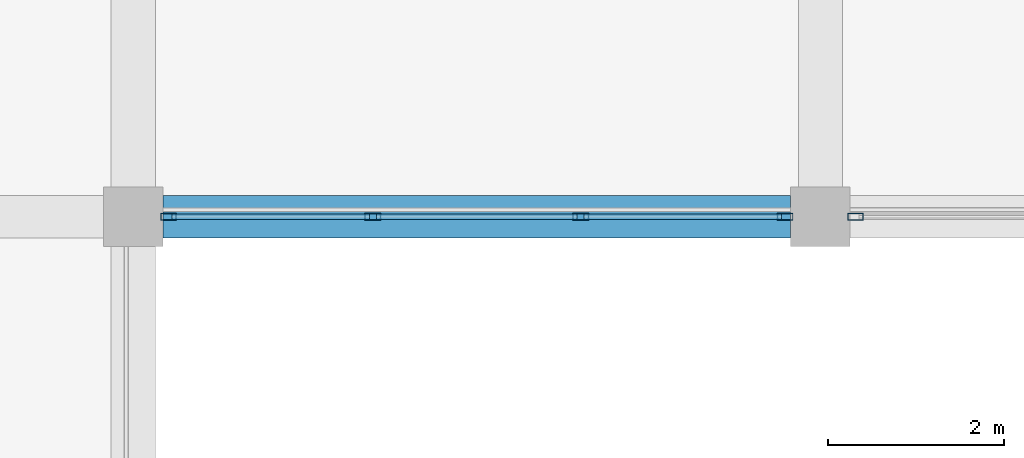
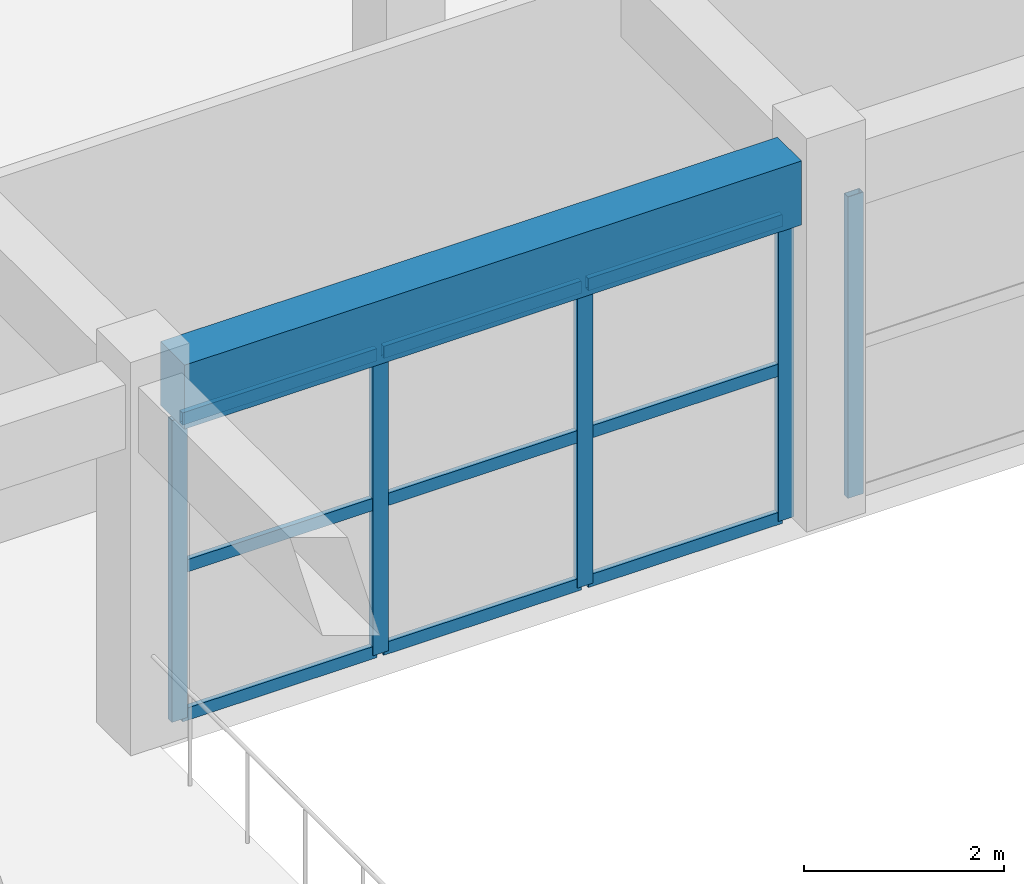
# One storey, part 102 of 175: 14 members, 1 beam, 2 elements without a shape of their own.
"""IFC4 building model written with IfcOpenShell, lengths in metres."""

from ifc_helpers import new_model, si_unit, direction, frame, origin, origin_2d, place, context, subcontext, project, spatial, rectangle, hollow_rectangle, extrude, material, layer, layer_set, material_profile, profile_set, type_object, element, aggregate, save


model = new_model("IFC4")

# Units and contexts
model_context = context("Model", 3, precision=1e-05, world=origin(), true_north=direction((0.0, 1.0)))
body_context = subcontext(model_context, "Body", "Model", "MODEL_VIEW")
ifc_project = project(units=[si_unit("LENGTHUNIT", "METRE"), si_unit("AREAUNIT", "SQUARE_METRE"), si_unit("VOLUMEUNIT", "CUBIC_METRE"), si_unit("PLANEANGLEUNIT", "RADIAN"), si_unit("MASSUNIT", "GRAM", prefix="KILO")], contexts=[model_context])

# Site, building, storey
site_placement = place(None, origin())
site = spatial("IfcSite", under=ifc_project, at=site_placement, CompositionType="ELEMENT")
building_placement = place(site_placement, origin())
building = spatial("IfcBuilding", under=site, at=building_placement, Name="Zizhar Promenade General Hospital", CompositionType="ELEMENT")
storey_placement = place(building_placement, frame((0.0, 0.0, 4.800048828125)))
storey = spatial("IfcBuildingStorey", under=building, at=storey_placement, Name="L01", CompositionType="ELEMENT", Elevation=4.800048828125)

# Beam
ifc_material_1 = material(Name="Concrete C35/45", Category="concrete")
ifc_material_profile_1 = material_profile(ifc_material_1, rectangle(XDim=0.47998046875, YDim=0.780029296875, at=origin_2d()))
ifc_profile_set_1 = profile_set([ifc_material_profile_1], Name="Concrete C35/45")
beam_type = type_object("IfcBeamType", Name="BM-RC-480x780", PredefinedType="BEAM", material=ifc_profile_set_1)
beam_placement = place(storey_placement, frame((148.5400390625, 92.39990234375, 4.079833984375), z_axis=(1.0, 0.0, 0.0), x_axis=(0.0, 1.0, 0.0)))
element("IfcBeam", 1, at=beam_placement, inside=storey, type_object=beam_type, Name="Grid Beam X L01 (19-11)", PredefinedType="BEAM", context=body_context, shape_type="SweptSolid", body=[
    extrude(rectangle(XDim=0.47998046875, YDim=0.780029296875, at=origin_2d()), origin(), (0.0, 0.0, 1.0), 7.119873046875),
])

# Curtain wall, members
ifc_material_2 = material(Name="Anodised aluminium 6063-T6 and low-E glass", Category="aluminium")
ifc_layer = layer(ifc_material_2, 0.159912109375)
ifc_layer_set = layer_set([ifc_layer], Name="Anodised aluminium 6063-T6 and low-E glass")
curtain_wall_type = type_object("IfcCurtainWallType", Name="CW-CLN-CRT", PredefinedType="NOTDEFINED", material=ifc_layer_set)
curtain_wall_1_placement = place(storey_placement, origin())
curtain_wall_1 = element("IfcCurtainWall", 2, at=curtain_wall_1_placement, inside=storey, type_object=curtain_wall_type, Name="East Light Court North Glazing L01-19", PredefinedType="NOTDEFINED")
ifc_material_3 = material(Name="Anodised aluminium 6063-T6", Category="aluminium")
ifc_material_profile_2 = material_profile(ifc_material_3, hollow_rectangle(XDim=0.080078125, YDim=0.179931640625, WallThickness=0.0048828125, at=origin_2d()))
ifc_profile_set_2 = profile_set([ifc_material_profile_2], Name="Anodised aluminium 6063-T6")
member_type_1 = type_object("IfcMemberType", Name="CWM-ALU-180x80", PredefinedType="MULLION", material=ifc_profile_set_2)
member_1_placement = place(storey_placement, frame((155.60009765625, 92.39990234375, 0.0), z_axis=(0.0, 0.0, 1.0), x_axis=(0.0, -1.0, 0.0)))
member_1 = element("IfcMember", 3, at=member_1_placement, type_object=member_type_1, Name="CW-10 mullion 1", PredefinedType="MULLION", context=body_context, shape_type="SweptSolid", body=[
    extrude(hollow_rectangle(XDim=0.080078125, YDim=0.179931640625, WallThickness=0.0048828125, at=origin_2d()), origin(), (0.0, 0.0, 1.0), 3.679931640625),
])
member_2_placement = place(storey_placement, frame((153.280029296875, 92.39990234375, 0.0), z_axis=(0.0, 0.0, 1.0), x_axis=(0.0, -1.0, 0.0)))
member_2 = element("IfcMember", 4, at=member_2_placement, type_object=member_type_1, Name="CW-10 mullion 2", PredefinedType="MULLION", context=body_context, shape_type="SweptSolid", body=[
    extrude(hollow_rectangle(XDim=0.080078125, YDim=0.179931640625, WallThickness=0.0048828125, at=origin_2d()), origin(), (0.0, 0.0, 1.0), 3.679931640625),
])
member_3_placement = place(storey_placement, frame((150.919921875, 92.39990234375, 0.0), z_axis=(0.0, 0.0, 1.0), x_axis=(0.0, -1.0, 0.0)))
member_3 = element("IfcMember", 5, at=member_3_placement, type_object=member_type_1, Name="CW-10 mullion 3", PredefinedType="MULLION", context=body_context, shape_type="SweptSolid", body=[
    extrude(hollow_rectangle(XDim=0.080078125, YDim=0.179931640625, WallThickness=0.0048828125, at=origin_2d()), origin(), (0.0, 0.0, 1.0), 3.679931640625),
])
member_4_placement = place(storey_placement, frame((148.60009765625, 92.39990234375, 0.0), z_axis=(0.0, 0.0, 1.0), x_axis=(0.0, -1.0, 0.0)))
member_4 = element("IfcMember", 6, at=member_4_placement, type_object=member_type_1, Name="CW-10 mullion 4", PredefinedType="MULLION", context=body_context, shape_type="SweptSolid", body=[
    extrude(hollow_rectangle(XDim=0.080078125, YDim=0.179931640625, WallThickness=0.0048828125, at=origin_2d()), origin(), (0.0, 0.0, 1.0), 3.679931640625),
])

# Curtain wall, member
curtain_wall_2_placement = place(storey_placement, origin())
curtain_wall_2 = element("IfcCurtainWall", 7, at=curtain_wall_2_placement, inside=storey, type_object=curtain_wall_type, Name="East Light Court North Glazing L01-20", PredefinedType="NOTDEFINED")
member_5_placement = place(storey_placement, frame((156.39990234375, 92.39990234375, 0.0), z_axis=(0.0, 0.0, 1.0), x_axis=(0.0, -1.0, 0.0)))
member_5 = element("IfcMember", 8, at=member_5_placement, type_object=member_type_1, Name="CW-10 mullion 4", PredefinedType="MULLION", context=body_context, shape_type="SweptSolid", body=[
    extrude(hollow_rectangle(XDim=0.080078125, YDim=0.179931640625, WallThickness=0.0048828125, at=origin_2d()), origin(), (0.0, 0.0, 1.0), 3.679931640625),
])
aggregate(curtain_wall_2, [member_5])

# Member
ifc_material_4 = material(Name="Anodised aluminium 6063-T6", Category="aluminium")
ifc_material_profile_3 = material_profile(ifc_material_4, hollow_rectangle(XDim=0.06005859375, YDim=0.14990234375, WallThickness=0.00390625, at=origin_2d()))
ifc_profile_set_3 = profile_set([ifc_material_profile_3], Name="Anodised aluminium 6063-T6")
member_type_2 = type_object("IfcMemberType", Name="CWT-ALU-150x60", PredefinedType="USERDEFINED", material=ifc_profile_set_3)
member_6_placement = place(storey_placement, frame((155.56005859375, 92.39990234375, 0.030029296875), z_axis=(-1.0, 0.0, 0.0), x_axis=(0.0, -1.0, 0.0)))
member_6 = element("IfcMember", 9, at=member_6_placement, type_object=member_type_2, Name="CW-10 transom 1.1", ObjectType="TRANSOM", PredefinedType="USERDEFINED", context=body_context, shape_type="SweptSolid", body=[
    extrude(hollow_rectangle(XDim=0.06005859375, YDim=0.14990234375, WallThickness=0.00390625, at=origin_2d()), origin(), (0.0, 0.0, 1.0), 2.239990234375),
])

member_7_placement = place(storey_placement, frame((155.56005859375, 92.39990234375, 1.83984375), z_axis=(-1.0, 0.0, 0.0), x_axis=(0.0, -1.0, 0.0)))
member_7 = element("IfcMember", 10, at=member_7_placement, type_object=member_type_2, Name="CW-10 transom 1.2", ObjectType="TRANSOM", PredefinedType="USERDEFINED", context=body_context, shape_type="SweptSolid", body=[
    extrude(hollow_rectangle(XDim=0.06005859375, YDim=0.14990234375, WallThickness=0.00390625, at=origin_2d()), origin(), (0.0, 0.0, 1.0), 2.239990234375),
])

member_8_placement = place(storey_placement, frame((155.56005859375, 92.39990234375, 3.64990234375), z_axis=(-1.0, 0.0, 0.0), x_axis=(0.0, -1.0, 0.0)))
member_8 = element("IfcMember", 11, at=member_8_placement, type_object=member_type_2, Name="CW-10 transom 1.3", ObjectType="TRANSOM", PredefinedType="USERDEFINED", context=body_context, shape_type="SweptSolid", body=[
    extrude(hollow_rectangle(XDim=0.06005859375, YDim=0.14990234375, WallThickness=0.00390625, at=origin_2d()), origin(), (0.0, 0.0, 1.0), 2.239990234375),
])

member_9_placement = place(storey_placement, frame((153.239990234375, 92.39990234375, 0.030029296875), z_axis=(-1.0, 0.0, 0.0), x_axis=(0.0, -1.0, 0.0)))
member_9 = element("IfcMember", 12, at=member_9_placement, type_object=member_type_2, Name="CW-10 transom 2.1", ObjectType="TRANSOM", PredefinedType="USERDEFINED", context=body_context, shape_type="SweptSolid", body=[
    extrude(hollow_rectangle(XDim=0.06005859375, YDim=0.14990234375, WallThickness=0.00390625, at=origin_2d()), origin(), (0.0, 0.0, 1.0), 2.280029296875),
])

member_10_placement = place(storey_placement, frame((153.239990234375, 92.39990234375, 1.83984375), z_axis=(-1.0, 0.0, 0.0), x_axis=(0.0, -1.0, 0.0)))
member_10 = element("IfcMember", 13, at=member_10_placement, type_object=member_type_2, Name="CW-10 transom 2.2", ObjectType="TRANSOM", PredefinedType="USERDEFINED", context=body_context, shape_type="SweptSolid", body=[
    extrude(hollow_rectangle(XDim=0.06005859375, YDim=0.14990234375, WallThickness=0.00390625, at=origin_2d()), origin(), (0.0, 0.0, 1.0), 2.280029296875),
])

member_11_placement = place(storey_placement, frame((153.239990234375, 92.39990234375, 3.64990234375), z_axis=(-1.0, 0.0, 0.0), x_axis=(0.0, -1.0, 0.0)))
member_11 = element("IfcMember", 14, at=member_11_placement, type_object=member_type_2, Name="CW-10 transom 2.3", ObjectType="TRANSOM", PredefinedType="USERDEFINED", context=body_context, shape_type="SweptSolid", body=[
    extrude(hollow_rectangle(XDim=0.06005859375, YDim=0.14990234375, WallThickness=0.00390625, at=origin_2d()), origin(), (0.0, 0.0, 1.0), 2.280029296875),
])

member_12_placement = place(storey_placement, frame((150.8798828125, 92.39990234375, 0.030029296875), z_axis=(-1.0, 0.0, 0.0), x_axis=(0.0, -1.0, 0.0)))
member_12 = element("IfcMember", 15, at=member_12_placement, type_object=member_type_2, Name="CW-10 transom 3.1", ObjectType="TRANSOM", PredefinedType="USERDEFINED", context=body_context, shape_type="SweptSolid", body=[
    extrude(hollow_rectangle(XDim=0.06005859375, YDim=0.14990234375, WallThickness=0.00390625, at=origin_2d()), origin(), (0.0, 0.0, 1.0), 2.239990234375),
])

member_13_placement = place(storey_placement, frame((150.8798828125, 92.39990234375, 1.83984375), z_axis=(-1.0, 0.0, 0.0), x_axis=(0.0, -1.0, 0.0)))
member_13 = element("IfcMember", 16, at=member_13_placement, type_object=member_type_2, Name="CW-10 transom 3.2", ObjectType="TRANSOM", PredefinedType="USERDEFINED", context=body_context, shape_type="SweptSolid", body=[
    extrude(hollow_rectangle(XDim=0.06005859375, YDim=0.14990234375, WallThickness=0.00390625, at=origin_2d()), origin(), (0.0, 0.0, 1.0), 2.239990234375),
])

member_14_placement = place(storey_placement, frame((150.8798828125, 92.39990234375, 3.64990234375), z_axis=(-1.0, 0.0, 0.0), x_axis=(0.0, -1.0, 0.0)))
member_14 = element("IfcMember", 17, at=member_14_placement, type_object=member_type_2, Name="CW-10 transom 3.3", ObjectType="TRANSOM", PredefinedType="USERDEFINED", context=body_context, shape_type="SweptSolid", body=[
    extrude(hollow_rectangle(XDim=0.06005859375, YDim=0.14990234375, WallThickness=0.00390625, at=origin_2d()), origin(), (0.0, 0.0, 1.0), 2.239990234375),
])

aggregate(curtain_wall_1, [member_1, member_2, member_3, member_4, member_6, member_7, member_8, member_9, member_10, member_11, member_12, member_13, member_14])

save(model, "model.ifc")
